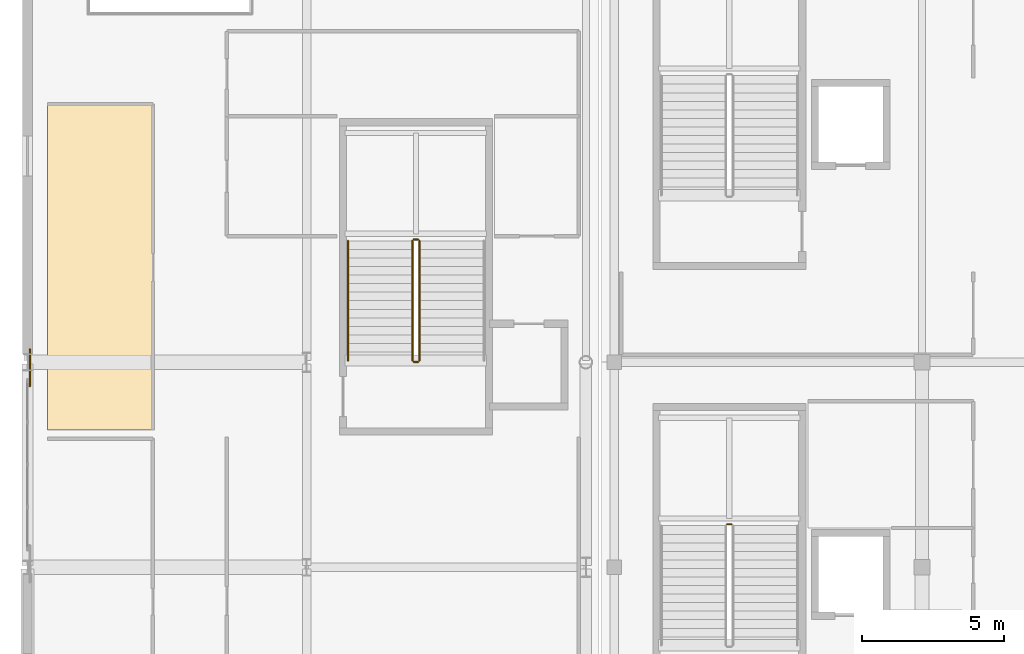
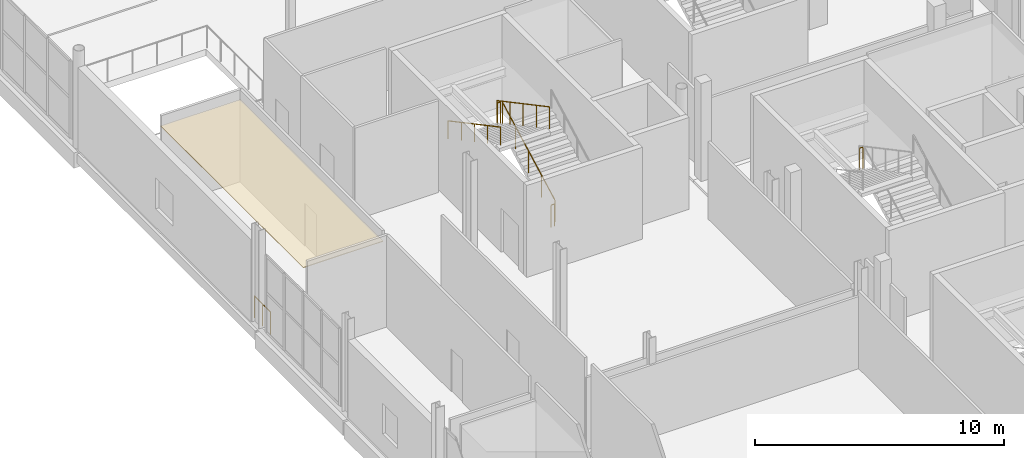
# One storey, part 97 of 129: 7 railings, 1 covering.
"""IFC4 building model written with IfcOpenShell, lengths in metres."""

from ifc_helpers import new_model, si_unit, direction, frame, origin, origin_2d, place, context, subcontext, project, spatial, polyline, circle, outline, extrude, material, layer, layer_set, type_object, element, save


model = new_model("IFC4")

# Units and contexts
model_context = context("Model", 3, precision=1e-05, world=origin(), true_north=direction((0.0, 1.0)))
body_context = subcontext(model_context, "Body", "Model", "MODEL_VIEW")
ifc_project = project(units=[si_unit("LENGTHUNIT", "METRE"), si_unit("AREAUNIT", "SQUARE_METRE"), si_unit("VOLUMEUNIT", "CUBIC_METRE"), si_unit("PLANEANGLEUNIT", "RADIAN"), si_unit("MASSUNIT", "GRAM", prefix="KILO")], contexts=[model_context])

# Site, building, storey
site_placement = place(None, origin())
site = spatial("IfcSite", under=ifc_project, at=site_placement, CompositionType="ELEMENT")
building_placement = place(site_placement, origin())
building = spatial("IfcBuilding", under=site, at=building_placement, Name="Koshinbarg Plaza Stadium", CompositionType="ELEMENT")
storey_placement = place(building_placement, frame((0.0, 0.0, 5.39990234375)))
storey = spatial("IfcBuildingStorey", under=building, at=storey_placement, Name="L01", CompositionType="ELEMENT", Elevation=5.39990234375)

# Covering
ifc_material_1 = material(Name="Perforated gypsum acoustic ceiling board")
ifc_layer = layer(ifc_material_1, 0.030029296875)
ifc_layer_set = layer_set([ifc_layer], Name="Perforated gypsum acoustic ceiling board")
covering_type = type_object("IfcCoveringType", Name="COV-CEIL-01", PredefinedType="CEILING", material=ifc_layer_set)
covering_placement = place(storey_placement, frame((0.0, 0.0, 3.9501953125)))
element("IfcCovering", 1, at=covering_placement, inside=storey, type_object=covering_type, Name="L01 Media Welcome Lounge acoustic ceiling 019", PredefinedType="CEILING", context=body_context, shape_type="SweptSolid", body=[
    extrude(outline(polyline([(4.699951171875, 51.9150390625), (8.39990234375, 51.9150390625), (8.39990234375, 63.360107421875), (4.699951171875, 63.360107421875), (4.699951171875, 51.9150390625)])), origin(), (0.0, 0.0, 1.0), 0.02978515625),
])

# Railings
ifc_material_2 = material(Name="Toughened laminated glass and stainless steel sightline balustrade", Category="steel")
railing_type_1 = type_object("IfcRailingType", Name="RL-BOWL-1100", PredefinedType="BALUSTRADE", material=ifc_material_2)
railing_1_placement = place(storey_placement, frame((4.080078125, 53.463623046875, 0.0)))
element("IfcRailing", 2, at=railing_1_placement, inside=storey, type_object=railing_type_1, Name="L01 deck edge safety balustrade 0110", PredefinedType="BALUSTRADE", context=body_context, shape_type="SweptSolid", body=[
    extrude(circle(Radius=0.02392578125, at=origin_2d()), frame((0.0, 0.0, 1.076171875), z_axis=(0.0, 1.0, 0.0), x_axis=(-1.0, 0.0, 0.0)), (0.0, 0.0, 1.0), 1.2978515625),
    extrude(circle(Radius=0.02099609375, at=origin_2d()), origin(), (0.0, 0.0, 1.0), 1.052001953125),
    extrude(circle(Radius=0.02099609375, at=origin_2d()), frame((0.0, 0.64892578125, 0.0)), (0.0, 0.0, 1.0), 1.052001953125),
    extrude(circle(Radius=0.02099609375, at=origin_2d()), frame((0.0, 1.2978515625, 0.0)), (0.0, 0.0, 1.0), 1.052001953125),
])
ifc_material_3 = material(Name="Galvanized painted steel guardrail", Category="steel")
railing_type_2 = type_object("IfcRailingType", Name="RL-GUARD-1100", PredefinedType="GUARDRAIL", material=ifc_material_3)
railing_2_placement = place(storey_placement, frame((28.7099609375, 48.610107421875, 2.400146484375)))
element("IfcRailing", 3, at=railing_2_placement, inside=storey, type_object=railing_type_2, Name="L01 C02 stair guard 2", PredefinedType="GUARDRAIL", context=body_context, shape_type="SweptSolid", body=[
    extrude(circle(Radius=0.02392578125, at=origin_2d()), frame((0.0, 0.0, 1.076171875), z_axis=(-1.0, 0.0, 0.0), x_axis=(0.0, -1.0, 0.0)), (0.0, 0.0, 1.0), 0.14990234375),
    extrude(circle(Radius=0.02099609375, at=origin_2d()), origin(), (0.0, 0.0, 1.0), 1.052001953125),
    extrude(circle(Radius=0.02099609375, at=origin_2d()), frame((-0.14990234375, 0.0, 0.0)), (0.0, 0.0, 1.0), 1.052001953125),
])
railing_3_placement = place(storey_placement, frame((17.760009765625, 54.360107421875, 0.16015625)))
element("IfcRailing", 4, at=railing_3_placement, inside=storey, type_object=railing_type_2, Name="L01 C16 stair guard 1", PredefinedType="GUARDRAIL", context=body_context, shape_type="SweptSolid", body=[
    extrude(circle(Radius=0.02392578125, at=origin_2d()), frame((0.0, 0.0, 1.076171875), z_axis=(0.0, 0.882351521365, 0.470590897432), x_axis=(-1.0, 0.0, 0.0)), (0.0, 0.0, 1.0), 4.760009765625),
    extrude(circle(Radius=0.02099609375, at=origin_2d()), origin(), (0.0, 0.0, 1.0), 1.052001953125),
    extrude(circle(Radius=0.02099609375, at=origin_2d()), frame((0.0, 1.050048828125, 0.56005859375)), (0.0, 0.0, 1.0), 1.052001953125),
    extrude(circle(Radius=0.02099609375, at=origin_2d()), frame((0.0, 2.10009765625, 1.1201171875)), (0.0, 0.0, 1.0), 1.052001953125),
    extrude(circle(Radius=0.02099609375, at=origin_2d()), frame((0.0, 3.14990234375, 1.679931640625)), (0.0, 0.0, 1.0), 1.052001953125),
    extrude(circle(Radius=0.02099609375, at=origin_2d()), frame((0.0, 4.199951171875, 2.239990234375)), (0.0, 0.0, 1.0), 1.052001953125),
])
railing_4_placement = place(storey_placement, frame((17.7099609375, 58.610107421875, 2.400146484375)))
element("IfcRailing", 5, at=railing_4_placement, inside=storey, type_object=railing_type_2, Name="L01 C16 stair guard 2", PredefinedType="GUARDRAIL", context=body_context, shape_type="SweptSolid", body=[
    extrude(circle(Radius=0.02392578125, at=origin_2d()), frame((0.0, 0.0, 1.076171875), z_axis=(-1.0, 0.0, 0.0), x_axis=(0.0, -1.0, 0.0)), (0.0, 0.0, 1.0), 0.14990234375),
    extrude(circle(Radius=0.02099609375, at=origin_2d()), origin(), (0.0, 0.0, 1.0), 1.052001953125),
    extrude(circle(Radius=0.02099609375, at=origin_2d()), frame((-0.14990234375, 0.0, 0.0)), (0.0, 0.0, 1.0), 1.052001953125),
])
railing_5_placement = place(storey_placement, frame((17.510009765625, 58.56005859375, 2.56005859375)))
element("IfcRailing", 6, at=railing_5_placement, inside=storey, type_object=railing_type_2, Name="L01 C16 stair guard 3", PredefinedType="GUARDRAIL", context=body_context, shape_type="SweptSolid", body=[
    extrude(circle(Radius=0.02392578125, at=origin_2d()), frame((0.0, 0.0, 1.076171875), z_axis=(0.0, -0.882351521365, 0.470590897432), x_axis=(1.0, 0.0, 0.0)), (0.0, 0.0, 1.0), 4.760009765625),
    extrude(circle(Radius=0.02099609375, at=origin_2d()), origin(), (0.0, 0.0, 1.0), 1.052001953125),
    extrude(circle(Radius=0.02099609375, at=origin_2d()), frame((0.0, -1.050048828125, 0.56005859375)), (0.0, 0.0, 1.0), 1.052001953125),
    extrude(circle(Radius=0.02099609375, at=origin_2d()), frame((0.0, -2.10009765625, 1.1201171875)), (0.0, 0.0, 1.0), 1.052001953125),
    extrude(circle(Radius=0.02099609375, at=origin_2d()), frame((0.0, -3.14990234375, 1.679931640625)), (0.0, 0.0, 1.0), 1.052001953125),
    extrude(circle(Radius=0.02099609375, at=origin_2d()), frame((0.0, -4.199951171875, 2.239990234375)), (0.0, 0.0, 1.0), 1.052001953125),
])
railing_6_placement = place(storey_placement, frame((17.7099609375, 54.31005859375, 0.0)))
element("IfcRailing", 7, at=railing_6_placement, inside=storey, type_object=railing_type_2, Name="L01 C16 stair guard 4", PredefinedType="GUARDRAIL", context=body_context, shape_type="SweptSolid", body=[
    extrude(circle(Radius=0.02392578125, at=origin_2d()), frame((0.0, 0.0, 1.076171875), z_axis=(-1.0, 0.0, 0.0), x_axis=(0.0, -1.0, 0.0)), (0.0, 0.0, 1.0), 0.14990234375),
    extrude(circle(Radius=0.02099609375, at=origin_2d()), origin(), (0.0, 0.0, 1.0), 1.052001953125),
    extrude(circle(Radius=0.02099609375, at=origin_2d()), frame((-0.14990234375, 0.0, 0.0)), (0.0, 0.0, 1.0), 1.052001953125),
])
ifc_material_4 = material(Name="Brushed stainless steel handrail", Category="steel")
railing_type_3 = type_object("IfcRailingType", Name="RL-HAND-900", PredefinedType="HANDRAIL", material=ifc_material_4)
railing_7_placement = place(storey_placement, frame((15.25, 58.56005859375, 2.56005859375)))
element("IfcRailing", 8, at=railing_7_placement, inside=storey, type_object=railing_type_3, Name="L01 C16 stair handrail 2", PredefinedType="HANDRAIL", context=body_context, shape_type="SweptSolid", body=[
    extrude(circle(Radius=0.02392578125, at=origin_2d()), frame((0.0, 0.0, 0.8759765625), z_axis=(0.0, -0.882351521365, 0.470590897432), x_axis=(1.0, 0.0, 0.0)), (0.0, 0.0, 1.0), 4.760009765625),
    extrude(circle(Radius=0.02099609375, at=origin_2d()), origin(), (0.0, 0.0, 1.0), 0.851806640625),
    extrude(circle(Radius=0.02099609375, at=origin_2d()), frame((0.0, -1.050048828125, 0.56005859375)), (0.0, 0.0, 1.0), 0.851806640625),
    extrude(circle(Radius=0.02099609375, at=origin_2d()), frame((0.0, -2.10009765625, 1.1201171875)), (0.0, 0.0, 1.0), 0.851806640625),
    extrude(circle(Radius=0.02099609375, at=origin_2d()), frame((0.0, -3.14990234375, 1.679931640625)), (0.0, 0.0, 1.0), 0.851806640625),
    extrude(circle(Radius=0.02099609375, at=origin_2d()), frame((0.0, -4.199951171875, 2.239990234375)), (0.0, 0.0, 1.0), 0.851806640625),
])

save(model, "model.ifc")
